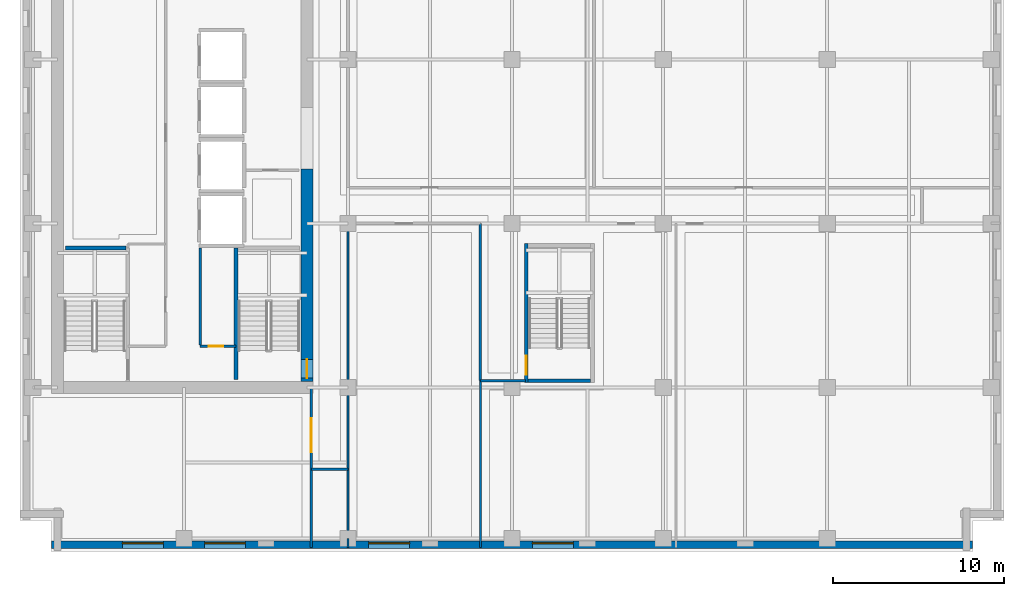
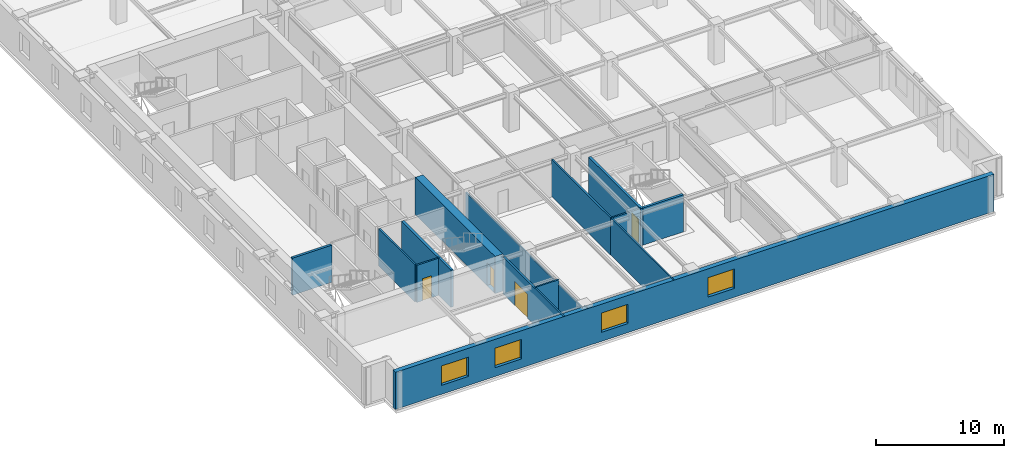
# One storey, part 4 of 13: 15 walls, 4 doors, 4 windows, 8 openings.
"""IFC4 building model written with IfcOpenShell, lengths in metres."""

from ifc_helpers import new_model, si_unit, direction, frame, frame_2d, origin, place, context, subcontext, project, spatial, rectangle, extrude, material, layer, layer_set, type_object, element, fill, save


model = new_model("IFC4")

# Units and contexts
model_context = context("Model", 3, precision=1e-05, world=origin(), true_north=direction((0.0, 1.0)))
body_context = subcontext(model_context, "Body", "Model", "MODEL_VIEW")
ifc_project = project(units=[si_unit("LENGTHUNIT", "METRE"), si_unit("AREAUNIT", "SQUARE_METRE"), si_unit("VOLUMEUNIT", "CUBIC_METRE"), si_unit("PLANEANGLEUNIT", "RADIAN"), si_unit("MASSUNIT", "GRAM", prefix="KILO")], contexts=[model_context])

# Site, building, storey
site_placement = place(None, origin())
site = spatial("IfcSite", under=ifc_project, at=site_placement, CompositionType="ELEMENT")
building_placement = place(site_placement, origin())
building = spatial("IfcBuilding", under=site, at=building_placement, Name="Norrvale University Quadrangle", CompositionType="ELEMENT")
storey_placement = place(building_placement, frame((0.0, 0.0, 159.800048828125)))
storey = spatial("IfcBuildingStorey", under=building, at=storey_placement, Name="L40", CompositionType="ELEMENT", Elevation=159.800048828125)

# Wall, openings, windows
ifc_material_1 = material(Name="Buff Norman Clay Brick Masonry", Category="masonry")
ifc_layer_1 = layer(ifc_material_1, 0.419921875, Name="Buff Norman Clay Brick Masonry")
ifc_layer_set_1 = layer_set([ifc_layer_1], Name="Buff Norman Clay Brick Masonry")
wall_type_1 = type_object("IfcWallType", Name="Wall Buff Brick 420", PredefinedType="SOLIDWALL", material=ifc_layer_set_1)
wall_1_placement = place(storey_placement, frame((1.840087890625, 0.389892578125, 0.0), z_axis=(0.0, 0.0, 1.0), x_axis=(1.0, 0.0, 0.0)))
wall_1 = element("IfcWall", 1, at=wall_1_placement, inside=storey, type_object=wall_type_1, Name="Exterior Brick Facade Wall L40-01.1", PredefinedType="SOLIDWALL", context=body_context, shape_type="SweptSolid", body=[
    extrude(rectangle(XDim=53.919921875, YDim=0.419921875, at=frame_2d((26.9599609375, 0.0))), origin(), (0.0, 0.0, 1.0), 3.5400390625),
])
opening_1_placement = place(wall_1_placement, frame((4.159912109375, 0.0, 0.85009765625)))
opening_1 = element("IfcOpeningElement", 2, at=opening_1_placement, cuts=wall_1, Name="Opening W02", PredefinedType="OPENING", context=body_context, shape_type="SweptSolid", body=[
    extrude(rectangle(XDim=2.39990234375, YDim=1.85009765625, at=frame_2d((1.199951171875, 0.925048828125))), frame((0.0, 0.221923828125, 0.0), z_axis=(0.0, -1.0, 0.0), x_axis=(1.0, 0.0, 0.0)), (0.0, 0.0, 1.0), 0.44384765625),
])
opening_2_placement = place(wall_1_placement, frame((8.9599609375, 0.0, 0.85009765625)))
opening_2 = element("IfcOpeningElement", 3, at=opening_2_placement, cuts=wall_1, Name="Opening W02", PredefinedType="OPENING", context=body_context, shape_type="SweptSolid", body=[
    extrude(rectangle(XDim=2.39990234375, YDim=1.85009765625, at=frame_2d((1.199951171875, 0.925048828125))), frame((0.0, 0.221923828125, 0.0), z_axis=(0.0, -1.0, 0.0), x_axis=(1.0, 0.0, 0.0)), (0.0, 0.0, 1.0), 0.44384765625),
])
opening_3_placement = place(wall_1_placement, frame((18.56005859375, 0.0, 0.85009765625)))
opening_3 = element("IfcOpeningElement", 4, at=opening_3_placement, cuts=wall_1, Name="Opening W02", PredefinedType="OPENING", context=body_context, shape_type="SweptSolid", body=[
    extrude(rectangle(XDim=2.39990234375, YDim=1.85009765625, at=frame_2d((1.199951171875, 0.925048828125))), frame((0.0, 0.221923828125, 0.0), z_axis=(0.0, -1.0, 0.0), x_axis=(1.0, 0.0, 0.0)), (0.0, 0.0, 1.0), 0.44384765625),
])
opening_4_placement = place(wall_1_placement, frame((28.159912109375, 0.0, 0.85009765625)))
opening_4 = element("IfcOpeningElement", 5, at=opening_4_placement, cuts=wall_1, Name="Opening W02", PredefinedType="OPENING", context=body_context, shape_type="SweptSolid", body=[
    extrude(rectangle(XDim=2.39990234375, YDim=1.85009765625, at=frame_2d((1.199951171875, 0.925048828125))), frame((0.0, 0.221923828125, 0.0), z_axis=(0.0, -1.0, 0.0), x_axis=(1.0, 0.0, 0.0)), (0.0, 0.0, 1.0), 0.44384765625),
])
ifc_material_2 = material(Name="Triple Low-E Argon Glazing", Category="glass")
window_type = type_object("IfcWindowType", Name="Window Academic 2400x2300", PartitioningType="TRIPLE_PANEL_VERTICAL", PredefinedType="WINDOW", material=ifc_material_2)
window_1_placement = place(opening_1_placement, origin())
window_1 = element("IfcWindow", 6, at=window_1_placement, inside=storey, type_object=window_type, Name="Window Academic 2400x2300 WIN-L40-E01-1-01", OverallHeight=1.85009765625, OverallWidth=2.39990234375, PartitioningType="TRIPLE_PANEL_VERTICAL", PredefinedType="WINDOW", context=body_context, shape_type="SweptSolid", body=[
    extrude(rectangle(XDim=2.39990234375, YDim=1.85009765625, at=frame_2d((1.199951171875, 0.925048828125))), frame((0.0, 0.110107421875, 0.0), z_axis=(0.0, -1.0, 0.0), x_axis=(1.0, 0.0, 0.0)), (0.0, 0.0, 1.0), 0.06005859375),
])
fill(opening_1, window_1)
window_2_placement = place(opening_2_placement, origin())
window_2 = element("IfcWindow", 7, at=window_2_placement, inside=storey, type_object=window_type, Name="Window Academic 2400x2300 WIN-L40-E01-1-02", OverallHeight=1.85009765625, OverallWidth=2.39990234375, PartitioningType="TRIPLE_PANEL_VERTICAL", PredefinedType="WINDOW", context=body_context, shape_type="SweptSolid", body=[
    extrude(rectangle(XDim=2.39990234375, YDim=1.85009765625, at=frame_2d((1.199951171875, 0.925048828125))), frame((0.0, 0.110107421875, 0.0), z_axis=(0.0, -1.0, 0.0), x_axis=(1.0, 0.0, 0.0)), (0.0, 0.0, 1.0), 0.06005859375),
])
fill(opening_2, window_2)
window_3_placement = place(opening_3_placement, origin())
window_3 = element("IfcWindow", 8, at=window_3_placement, inside=storey, type_object=window_type, Name="Window Academic 2400x2300 WIN-L40-E01-1-03", OverallHeight=1.85009765625, OverallWidth=2.39990234375, PartitioningType="TRIPLE_PANEL_VERTICAL", PredefinedType="WINDOW", context=body_context, shape_type="SweptSolid", body=[
    extrude(rectangle(XDim=2.39990234375, YDim=1.85009765625, at=frame_2d((1.199951171875, 0.925048828125))), frame((0.0, 0.110107421875, 0.0), z_axis=(0.0, -1.0, 0.0), x_axis=(1.0, 0.0, 0.0)), (0.0, 0.0, 1.0), 0.06005859375),
])
fill(opening_3, window_3)
window_4_placement = place(opening_4_placement, origin())
window_4 = element("IfcWindow", 9, at=window_4_placement, inside=storey, type_object=window_type, Name="Window Academic 2400x2300 WIN-L40-E01-1-04", OverallHeight=1.85009765625, OverallWidth=2.39990234375, PartitioningType="TRIPLE_PANEL_VERTICAL", PredefinedType="WINDOW", context=body_context, shape_type="SweptSolid", body=[
    extrude(rectangle(XDim=2.39990234375, YDim=1.85009765625, at=frame_2d((1.199951171875, 0.925048828125))), frame((0.0, 0.110107421875, 0.0), z_axis=(0.0, -1.0, 0.0), x_axis=(1.0, 0.0, 0.0)), (0.0, 0.0, 1.0), 0.06005859375),
])
fill(opening_4, window_4)

# Wall, opening, door
ifc_material_3 = material(Name="Concrete C60/75", Category="concrete")
ifc_layer_2 = layer(ifc_material_3, 0.699951171875, Name="Concrete C60/75")
ifc_layer_set_2 = layer_set([ifc_layer_2], Name="Concrete C60/75")
wall_type_2 = type_object("IfcWallType", Name="Wall Core 700", PredefinedType="SHEAR", material=ifc_layer_set_2)
wall_2_placement = place(storey_placement, frame((16.800048828125, 9.949951171875, 0.0), z_axis=(0.0, 0.0, 1.0), x_axis=(0.0, 1.0, 0.0)))
wall_2 = element("IfcWall", 10, at=wall_2_placement, inside=storey, type_object=wall_type_2, Name="Tower Core Shear Wall L40-E1", PredefinedType="SHEAR", context=body_context, shape_type="SweptSolid", body=[
    extrude(rectangle(XDim=12.449951171875, YDim=0.699951171875, at=frame_2d((6.22509765625, 0.0))), origin(), (0.0, 0.0, 1.0), 3.5400390625),
])
opening_5_placement = place(wall_2_placement, frame((0.18994140625, 0.0, 0.0)))
opening_5 = element("IfcOpeningElement", 11, at=opening_5_placement, cuts=wall_2, Name="Opening D02", PredefinedType="OPENING", context=body_context, shape_type="SweptSolid", body=[
    extrude(rectangle(XDim=1.10009765625, YDim=2.199951171875, at=frame_2d((0.550048828125, 1.10009765625))), frame((0.0, 0.362060546875, 0.0), z_axis=(0.0, -1.0, 0.0), x_axis=(1.0, 0.0, 0.0)), (0.0, 0.0, 1.0), 0.723876953125),
])
ifc_material_4 = material(Name="Hollow Steel 350W Fire Door", Category="steel")
door_type_1 = type_object("IfcDoorType", Name="Door Stair Exit 1100x2200", OperationType="NOTDEFINED", PredefinedType="DOOR", material=ifc_material_4)
door_1_placement = place(opening_5_placement, origin())
door_1 = element("IfcDoor", 12, at=door_1_placement, inside=storey, type_object=door_type_1, Name="Door Stair Exit 1100x2200 DR-L40-ST03", OperationType="SINGLE_SWING_LEFT", OverallHeight=2.199951171875, OverallWidth=1.10009765625, PredefinedType="DOOR", context=body_context, shape_type="SweptSolid", body=[
    extrude(rectangle(XDim=1.10009765625, YDim=2.199951171875, at=frame_2d((0.550048828125, 1.10009765625))), frame((0.0, 0.02490234375, 0.0), z_axis=(0.0, -1.0, 0.0), x_axis=(1.0, 0.0, 0.0)), (0.0, 0.0, 1.0), 0.050048828125),
])
fill(opening_5, door_1)

# Walls
ifc_material_5 = material(Name="Standard Academic Gypsum Partition")
ifc_layer_3 = layer(ifc_material_5, 0.125, Name="Standard Academic Gypsum Partition")
ifc_layer_set_3 = layer_set([ifc_layer_3], Name="Standard Academic Gypsum Partition")
wall_type_3 = type_object("IfcWallType", Name="Wall Gypsum Academic 125", PredefinedType="PARTITIONING", material=ifc_layer_set_3)
wall_3_placement = place(storey_placement, frame((19.199951171875, 0.219970703125, 0.0), z_axis=(0.0, 0.0, 1.0), x_axis=(0.0, 1.0, 0.0)))
element("IfcWall", 13, at=wall_3_placement, inside=storey, type_object=wall_type_3, Name="Interior Partition WL-L40-SE-W0", PredefinedType="PARTITIONING", context=body_context, shape_type="SweptSolid", body=[
    extrude(rectangle(XDim=0.530029296875, YDim=0.125, at=frame_2d((0.26513671875, 0.0))), origin(), (0.0, 0.0, 1.0), 3.5400390625),
])
wall_4_placement = place(storey_placement, frame((19.199951171875, 0.75, 0.0), z_axis=(0.0, 0.0, 1.0), x_axis=(0.0, 1.0, 0.0)))
element("IfcWall", 14, at=wall_4_placement, inside=storey, type_object=wall_type_3, Name="Interior Partition WL-L40-SE-W0-B2", PredefinedType="PARTITIONING", context=body_context, shape_type="SweptSolid", body=[
    extrude(rectangle(XDim=18.449951171875, YDim=0.125, at=frame_2d((9.22509765625, 0.0))), origin(), (0.0, 0.0, 1.0), 3.123046875),
])
wall_5_placement = place(storey_placement, frame((26.949951171875, 0.219970703125, 0.0), z_axis=(0.0, 0.0, 1.0), x_axis=(0.0, 1.0, 0.0)))
element("IfcWall", 15, at=wall_5_placement, inside=storey, type_object=wall_type_3, Name="Interior Partition WL-L40-SEP1A", PredefinedType="PARTITIONING", context=body_context, shape_type="SweptSolid", body=[
    extrude(rectangle(XDim=9.780029296875, YDim=0.125, at=frame_2d((4.89013671875, 0.0))), origin(), (0.0, 0.0, 1.0), 3.5400390625),
])

# Wall, opening, door
ifc_material_6 = material(Name="Fire-Rated Gypsum Stud Partition")
ifc_layer_4 = layer(ifc_material_6, 0.14990234375, Name="Fire-Rated Gypsum Stud Partition")
ifc_layer_set_4 = layer_set([ifc_layer_4], Name="Fire-Rated Gypsum Stud Partition")
wall_type_4 = type_object("IfcWallType", Name="Wall Gypsum Corridor 150", PredefinedType="PARTITIONING", material=ifc_layer_set_4)
wall_6_placement = place(storey_placement, frame((10.550048828125, 12.02001953125, 0.0), z_axis=(0.0, 0.0, 1.0), x_axis=(1.0, 0.0, 0.0)))
wall_6 = element("IfcWall", 16, at=wall_6_placement, inside=storey, type_object=wall_type_4, Name="Interior Partition WL-L40-SC-NR", PredefinedType="PARTITIONING", context=body_context, shape_type="SweptSolid", body=[
    extrude(rectangle(XDim=2.079833984375, YDim=0.14990234375, at=frame_2d((1.0400390625, 0.0))), origin(), (0.0, 0.0, 1.0), 3.5400390625),
])
opening_6_placement = place(wall_6_placement, frame((0.5, 0.0, 0.0)))
opening_6 = element("IfcOpeningElement", 17, at=opening_6_placement, cuts=wall_6, Name="Opening D10", PredefinedType="OPENING", context=body_context, shape_type="SweptSolid", body=[
    extrude(rectangle(XDim=0.85009765625, YDim=2.10009765625, at=frame_2d((0.425048828125, 1.050048828125))), frame((0.0, 0.0869140625, 0.0), z_axis=(0.0, -1.0, 0.0), x_axis=(1.0, 0.0, 0.0)), (0.0, 0.0, 1.0), 0.173828125),
])
ifc_material_7 = material(Name="Hollow Steel 350W Riser Fire Door", Category="steel")
door_type_2 = type_object("IfcDoorType", Name="Door Riser 850x2100", OperationType="NOTDEFINED", PredefinedType="DOOR", material=ifc_material_7)
door_2_placement = place(opening_6_placement, origin())
door_2 = element("IfcDoor", 18, at=door_2_placement, inside=storey, type_object=door_type_2, Name="Door Riser 850x2100 DR-L40-IDF", OperationType="SINGLE_SWING_RIGHT", OverallHeight=2.10009765625, OverallWidth=0.85009765625, PredefinedType="DOOR", context=body_context, shape_type="SweptSolid", body=[
    extrude(rectangle(XDim=0.85009765625, YDim=2.10009765625, at=frame_2d((0.425048828125, 1.050048828125))), frame((0.0, 0.02490234375, 0.0), z_axis=(0.0, -1.0, 0.0), x_axis=(1.0, 0.0, 0.0)), (0.0, 0.0, 1.0), 0.050048828125),
])
fill(opening_6, door_2)

# Walls
wall_7_placement = place(storey_placement, frame((10.550048828125, 12.094970703125, 0.0), z_axis=(0.0, 0.0, 1.0), x_axis=(0.0, 1.0, 0.0)))
element("IfcWall", 19, at=wall_7_placement, inside=storey, type_object=wall_type_4, Name="Interior Partition WL-L40-SC-WR", PredefinedType="PARTITIONING", context=body_context, shape_type="SweptSolid", body=[
    extrude(rectangle(XDim=5.679931640625, YDim=0.14990234375, at=frame_2d((2.83984375, 0.0))), origin(), (0.0, 0.0, 1.0), 3.5400390625),
])
wall_8_placement = place(storey_placement, frame((17.050048828125, 4.800048828125, 0.0), z_axis=(0.0, 0.0, 1.0), x_axis=(1.0, 0.0, 0.0)))
element("IfcWall", 20, at=wall_8_placement, inside=storey, type_object=wall_type_4, Name="Interior Partition WL-L40-CSP-S", PredefinedType="PARTITIONING", context=body_context, shape_type="SweptSolid", body=[
    extrude(rectangle(XDim=2.14990234375, YDim=0.14990234375, at=frame_2d((1.074951171875, 0.0))), origin(), (0.0, 0.0, 1.0), 3.5400390625),
])

# Wall, opening, door
wall_9_placement = place(storey_placement, frame((17.050048828125, 0.219970703125, 0.0), z_axis=(0.0, 0.0, 1.0), x_axis=(0.0, 1.0, 0.0)))
wall_9 = element("IfcWall", 21, at=wall_9_placement, inside=storey, type_object=wall_type_4, Name="Interior Partition WL-L40-SW-E", PredefinedType="PARTITIONING", context=body_context, shape_type="SweptSolid", body=[
    extrude(rectangle(XDim=9.380126953125, YDim=0.14990234375, at=frame_2d((4.68994140625, 0.0))), origin(), (0.0, 0.0, 1.0), 3.5400390625),
])
opening_7_placement = place(wall_9_placement, frame((5.580078125, 0.0, 0.0)))
opening_7 = element("IfcOpeningElement", 22, at=opening_7_placement, cuts=wall_9, Name="Opening D06", PredefinedType="OPENING", context=body_context, shape_type="SweptSolid", body=[
    extrude(rectangle(XDim=2.0, YDim=2.300048828125, at=frame_2d((1.0, 1.14990234375))), frame((0.0, 0.0869140625, 0.0), z_axis=(0.0, -1.0, 0.0), x_axis=(1.0, 0.0, 0.0)), (0.0, 0.0, 1.0), 0.173828125),
])
ifc_material_8 = material(Name="Acoustic Oak Double Door", Category="wood")
door_type_3 = type_object("IfcDoorType", Name="Door Lecture Dbl 2000x2300", OperationType="DOUBLE_SWING_LEFT", PredefinedType="DOOR", material=ifc_material_8)
door_3_placement = place(opening_7_placement, origin())
door_3 = element("IfcDoor", 23, at=door_3_placement, inside=storey, type_object=door_type_3, Name="Door Lecture Dbl 2000x2300 DR-L40-SW1", OperationType="DOUBLE_SWING_LEFT", OverallHeight=2.300048828125, OverallWidth=2.0, PredefinedType="DOOR", context=body_context, shape_type="SweptSolid", body=[
    extrude(rectangle(XDim=2.0, YDim=2.300048828125, at=frame_2d((1.0, 1.14990234375))), frame((0.0, 0.02490234375, 0.0), z_axis=(0.0, -1.0, 0.0), x_axis=(1.0, 0.0, 0.0)), (0.0, 0.0, 1.0), 0.050048828125),
])
fill(opening_7, door_3)

# Walls
wall_10_placement = place(storey_placement, frame((26.949951171875, 10.0, 0.0), z_axis=(0.0, 0.0, 1.0), x_axis=(0.0, 1.0, 0.0)))
element("IfcWall", 24, at=wall_10_placement, inside=storey, type_object=wall_type_4, Name="Interior Partition WL-L40-SEP1B", PredefinedType="PARTITIONING", context=body_context, shape_type="SweptSolid", body=[
    extrude(rectangle(XDim=9.199951171875, YDim=0.14990234375, at=frame_2d((4.60009765625, 0.0))), origin(), (0.0, 0.0, 1.0), 3.5400390625),
])
wall_11_placement = place(storey_placement, frame((26.949951171875, 10.0, 0.0), z_axis=(0.0, 0.0, 1.0), x_axis=(1.0, 0.0, 0.0)))
element("IfcWall", 25, at=wall_11_placement, inside=storey, type_object=wall_type_4, Name="Interior Partition WL-L40-SEP1C", PredefinedType="PARTITIONING", context=body_context, shape_type="SweptSolid", body=[
    extrude(rectangle(XDim=2.630126953125, YDim=0.14990234375, at=frame_2d((1.31494140625, 0.0))), origin(), (0.0, 0.0, 1.0), 3.5400390625),
])
ifc_material_9 = material(Name="Concrete Blockwork 20 MPa Fire Shaft", Category="masonry")
ifc_layer_5 = layer(ifc_material_9, 0.219970703125, Name="Concrete Blockwork 20 MPa Fire Shaft")
ifc_layer_set_5 = layer_set([ifc_layer_5], Name="Concrete Blockwork 20 MPa Fire Shaft")
wall_type_5 = type_object("IfcWallType", Name="Wall Shaft 220", PredefinedType="SOLIDWALL", material=ifc_layer_set_5)
wall_12_placement = place(storey_placement, frame((2.64990234375, 17.760009765625, 0.0), z_axis=(0.0, 0.0, 1.0), x_axis=(1.0, 0.0, 0.0)))
element("IfcWall", 26, at=wall_12_placement, inside=storey, type_object=wall_type_5, Name="Stair ST-01 North Shaft Wall L40", PredefinedType="SOLIDWALL", context=body_context, shape_type="SweptSolid", body=[
    extrude(rectangle(XDim=3.550048828125, YDim=0.219970703125, at=frame_2d((1.77490234375, 0.0))), origin(), (0.0, 0.0, 1.0), 3.5400390625),
])
wall_13_placement = place(storey_placement, frame((12.639892578125, 10.050048828125, 0.0), z_axis=(0.0, 0.0, 1.0), x_axis=(0.0, 1.0, 0.0)))
element("IfcWall", 27, at=wall_13_placement, inside=storey, type_object=wall_type_5, Name="Stair ST-03 West Shaft Wall L40", PredefinedType="SOLIDWALL", context=body_context, shape_type="SweptSolid", body=[
    extrude(rectangle(XDim=7.7099609375, YDim=0.219970703125, at=frame_2d((3.85498046875, 0.0))), origin(), (0.0, 0.0, 1.0), 3.5400390625),
])
wall_14_placement = place(storey_placement, frame((29.75, 9.989990234375, 0.0), z_axis=(0.0, 0.0, 1.0), x_axis=(1.0, 0.0, 0.0)))
element("IfcWall", 28, at=wall_14_placement, inside=storey, type_object=wall_type_5, Name="Stair ST-04 South Shaft Wall L40", PredefinedType="SOLIDWALL", context=body_context, shape_type="SweptSolid", body=[
    extrude(rectangle(XDim=3.64990234375, YDim=0.219970703125, at=frame_2d((1.824951171875, 0.0))), origin(), (0.0, 0.0, 1.0), 3.5400390625),
])

# Wall, opening, door
wall_15_placement = place(storey_placement, frame((29.639892578125, 9.8798828125, 0.0), z_axis=(0.0, 0.0, 1.0), x_axis=(0.0, 1.0, 0.0)))
wall_15 = element("IfcWall", 29, at=wall_15_placement, inside=storey, type_object=wall_type_5, Name="Stair ST-04 West Shaft Wall L40", PredefinedType="SOLIDWALL", context=body_context, shape_type="SweptSolid", body=[
    extrude(rectangle(XDim=8.14013671875, YDim=0.219970703125, at=frame_2d((4.070068359375, 0.0))), origin(), (0.0, 0.0, 1.0), 3.5400390625),
])
opening_8_placement = place(wall_15_placement, frame((0.469970703125, 0.0, 0.0)))
opening_8 = element("IfcOpeningElement", 30, at=opening_8_placement, cuts=wall_15, Name="Opening D02", PredefinedType="OPENING", context=body_context, shape_type="SweptSolid", body=[
    extrude(rectangle(XDim=1.10009765625, YDim=2.199951171875, at=frame_2d((0.550048828125, 1.10009765625))), frame((0.0, 0.1220703125, 0.0), z_axis=(0.0, -1.0, 0.0), x_axis=(1.0, 0.0, 0.0)), (0.0, 0.0, 1.0), 0.243896484375),
])
door_4_placement = place(opening_8_placement, frame((1.10009765625, 0.0, 0.0), z_axis=(0.0, 0.0, 1.0), x_axis=(-1.0, 0.0, 0.0)))
door_4 = element("IfcDoor", 31, at=door_4_placement, inside=storey, type_object=door_type_1, Name="Door Stair Exit 1100x2200 DR-L40-ST04", OperationType="SINGLE_SWING_RIGHT", OverallHeight=2.199951171875, OverallWidth=1.10009765625, PredefinedType="DOOR", context=body_context, shape_type="SweptSolid", body=[
    extrude(rectangle(XDim=1.10009765625, YDim=2.199951171875, at=frame_2d((0.550048828125, 1.10009765625))), frame((0.0, 0.02490234375, 0.0), z_axis=(0.0, -1.0, 0.0), x_axis=(1.0, 0.0, 0.0)), (0.0, 0.0, 1.0), 0.050048828125),
])
fill(opening_8, door_4)

save(model, "model.ifc")
